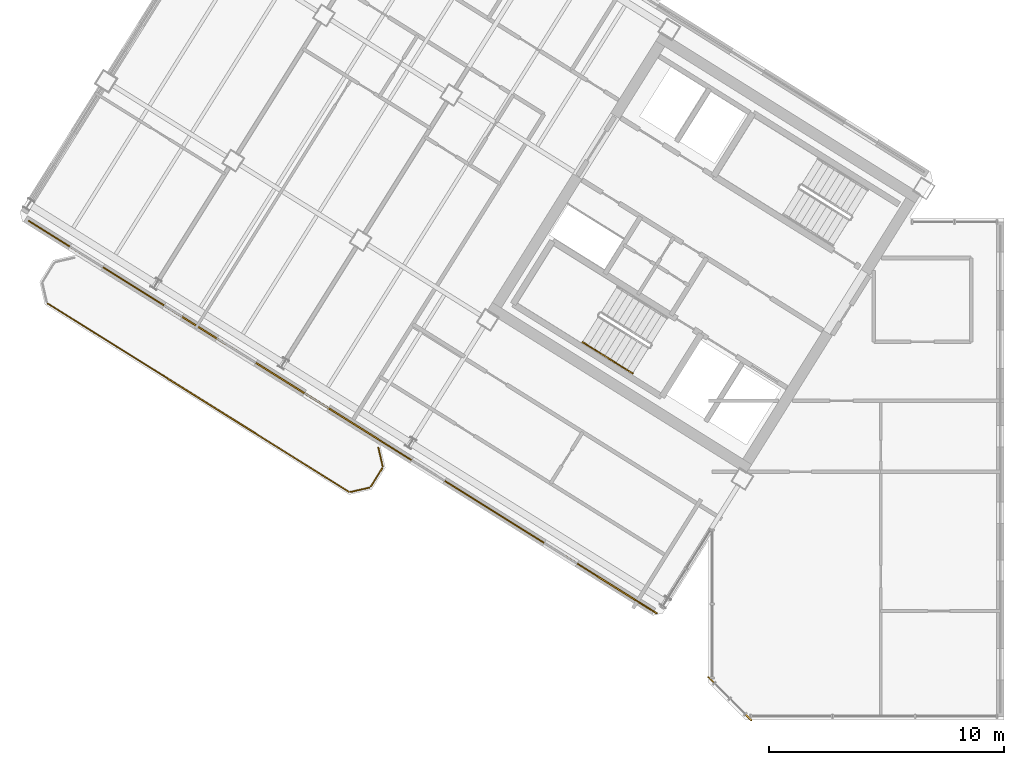
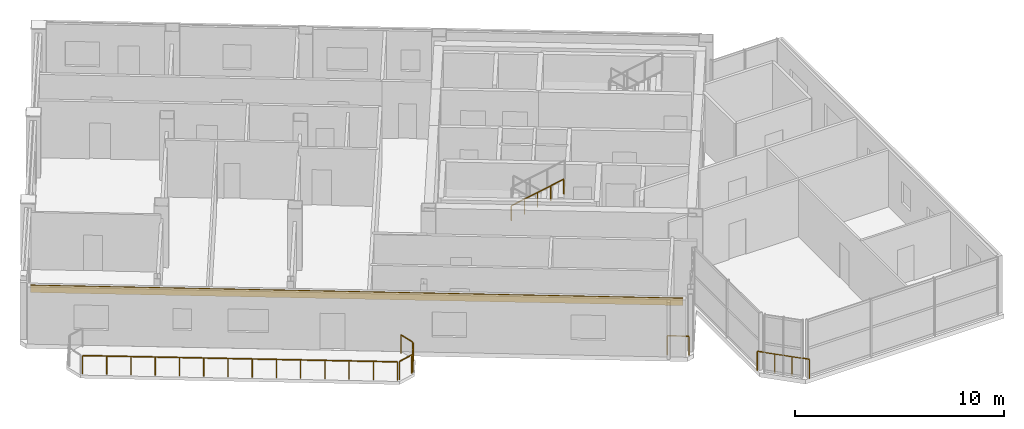
# One storey, part 12 of 17: 8 railings, 1 covering.
"""IFC4 building model written with IfcOpenShell, lengths in metres."""

from ifc_helpers import new_model, si_unit, direction, frame, origin, origin_2d, place, context, subcontext, project, spatial, rectangle, extrude, source, transform, mapped, material, layer, layer_set, type_object, element, save


model = new_model("IFC4")

# Units and contexts
model_context = context("Model", 3, precision=1e-05, world=origin(), true_north=direction((0.0, 1.0)))
body_context = subcontext(model_context, "Body", "Model", "MODEL_VIEW")
ifc_project = project(units=[si_unit("LENGTHUNIT", "METRE"), si_unit("AREAUNIT", "SQUARE_METRE"), si_unit("VOLUMEUNIT", "CUBIC_METRE"), si_unit("PLANEANGLEUNIT", "RADIAN"), si_unit("MASSUNIT", "GRAM", prefix="KILO")], contexts=[model_context])

# Site, building, storey
site_placement = place(None, origin())
site = spatial("IfcSite", under=ifc_project, at=site_placement, CompositionType="ELEMENT")
building_placement = place(site_placement, origin())
building = spatial("IfcBuilding", under=site, at=building_placement, Name="Tlacorven Tower", CompositionType="ELEMENT")
storey_placement = place(building_placement, frame((0.0, 0.0, 277.199951171875)))
storey = spatial("IfcBuildingStorey", under=building, at=storey_placement, Name="L70", CompositionType="ELEMENT", Elevation=277.199951171875)

# Railings
ifc_material_1 = material(Name="Aluminium and painted steel balustrade", Category="steel")
railing_type_1 = type_object("IfcRailingType", Name="RL-BAL-1100", PredefinedType="BALUSTRADE", material=ifc_material_1)
shared_shape_1 = source(origin(), body_context, "Body", "SweptSolid", [
    extrude(rectangle(XDim=0.048095703125, YDim=0.048095703125, at=origin_2d()), frame((0.0, 0.0, 1.076171875), z_axis=(0.225058334816, -0.974345290916, 0.0), x_axis=(0.974345290916, 0.225058334816, 0.0)), (0.0, 0.0, 1.0), 0.80712890625),
    extrude(rectangle(XDim=0.0419921875, YDim=0.0419921875, at=origin_2d()), origin(), (0.0, 0.0, 1.0), 1.052001953125),
    extrude(rectangle(XDim=0.0419921875, YDim=0.0419921875, at=origin_2d()), frame((0.181640625, -0.786376953125, 0.0)), (0.0, 0.0, 1.0), 1.052001953125),
])
railing_1_placement = place(storey_placement, frame((17.5244140625, 13.413330078125, 0.0)))
element("IfcRailing", 1, at=railing_1_placement, inside=storey, type_object=railing_type_1, Name="BAL-L70-W-OUT Guard Railing 1", PredefinedType="BALUSTRADE", context=body_context, shape_type="MappedRepresentation", body=[
    mapped(shared_shape_1, transform((0.0, 0.0, 0.0), scale=1.0)),
])
shared_shape_2 = source(origin(), body_context, "Body", "SweptSolid", [
    extrude(rectangle(XDim=0.048095703125, YDim=0.048095703125, at=origin_2d()), frame((0.0, 0.0, 1.076171875), z_axis=(-0.52987865805, -0.848073468364, 0.0), x_axis=(0.848073468364, -0.52987865805, 0.0)), (0.0, 0.0, 1.0), 0.912353515625),
    extrude(rectangle(XDim=0.0419921875, YDim=0.0419921875, at=origin_2d()), origin(), (0.0, 0.0, 1.0), 1.052001953125),
    extrude(rectangle(XDim=0.0419921875, YDim=0.0419921875, at=origin_2d()), frame((-0.4833984375, -0.773681640625, 0.0)), (0.0, 0.0, 1.0), 1.052001953125),
])
railing_2_placement = place(storey_placement, frame((17.690673828125, 12.535888671875, 0.0)))
element("IfcRailing", 2, at=railing_2_placement, inside=storey, type_object=railing_type_1, Name="BAL-L70-W-OUT Guard Railing 2", PredefinedType="BALUSTRADE", context=body_context, shape_type="MappedRepresentation", body=[
    mapped(shared_shape_2, transform((0.0, 0.0, 0.0), scale=1.0)),
])
shared_shape_3 = source(origin(), body_context, "Body", "SweptSolid", [
    extrude(rectangle(XDim=0.048095703125, YDim=0.048095703125, at=origin_2d()), frame((0.0, 0.0, 1.076171875), z_axis=(-0.974411586182, -0.224771129628, 0.0), x_axis=(0.224771129628, -0.974411586182, 0.0)), (0.0, 0.0, 1.0), 0.80712890625),
    extrude(rectangle(XDim=0.0419921875, YDim=0.0419921875, at=origin_2d()), origin(), (0.0, 0.0, 1.0), 1.052001953125),
    extrude(rectangle(XDim=0.0419921875, YDim=0.0419921875, at=origin_2d()), frame((-0.786376953125, -0.181396484375, 0.0)), (0.0, 0.0, 1.0), 1.052001953125),
])
railing_3_placement = place(storey_placement, frame((17.132080078125, 11.70849609375, 0.0)))
element("IfcRailing", 3, at=railing_3_placement, inside=storey, type_object=railing_type_1, Name="BAL-L70-W-OUT Guard Railing 3", PredefinedType="BALUSTRADE", context=body_context, shape_type="MappedRepresentation", body=[
    mapped(shared_shape_3, transform((0.0, 0.0, 0.0), scale=1.0)),
])
shared_shape_4 = source(origin(), body_context, "Body", "SweptSolid", [
    extrude(rectangle(XDim=0.048095703125, YDim=0.048095703125, at=origin_2d()), frame((0.0, 0.0, 1.076171875), z_axis=(-0.848044572804, 0.529924902733, 0.0), x_axis=(-0.529924902733, -0.848044572804, 0.0)), (0.0, 0.0, 1.0), 15.1171875),
    extrude(rectangle(XDim=0.0419921875, YDim=0.0419921875, at=origin_2d()), origin(), (0.0, 0.0, 1.0), 1.052001953125),
    extrude(rectangle(XDim=0.0419921875, YDim=0.0419921875, at=origin_2d()), frame((-0.986083984375, 0.6162109375, 0.0)), (0.0, 0.0, 1.0), 1.052001953125),
    extrude(rectangle(XDim=0.0419921875, YDim=0.0419921875, at=origin_2d()), frame((-1.972412109375, 1.232421875, 0.0)), (0.0, 0.0, 1.0), 1.052001953125),
    extrude(rectangle(XDim=0.0419921875, YDim=0.0419921875, at=origin_2d()), frame((-2.95849609375, 1.8486328125, 0.0)), (0.0, 0.0, 1.0), 1.052001953125),
    extrude(rectangle(XDim=0.0419921875, YDim=0.0419921875, at=origin_2d()), frame((-3.944580078125, 2.46484375, 0.0)), (0.0, 0.0, 1.0), 1.052001953125),
    extrude(rectangle(XDim=0.0419921875, YDim=0.0419921875, at=origin_2d()), frame((-4.930908203125, 3.0810546875, 0.0)), (0.0, 0.0, 1.0), 1.052001953125),
    extrude(rectangle(XDim=0.0419921875, YDim=0.0419921875, at=origin_2d()), frame((-5.9169921875, 3.697265625, 0.0)), (0.0, 0.0, 1.0), 1.052001953125),
    extrude(rectangle(XDim=0.0419921875, YDim=0.0419921875, at=origin_2d()), frame((-6.903076171875, 4.313720703125, 0.0)), (0.0, 0.0, 1.0), 1.052001953125),
    extrude(rectangle(XDim=0.0419921875, YDim=0.0419921875, at=origin_2d()), frame((-7.88916015625, 4.929931640625, 0.0)), (0.0, 0.0, 1.0), 1.052001953125),
    extrude(rectangle(XDim=0.0419921875, YDim=0.0419921875, at=origin_2d()), frame((-8.87548828125, 5.546142578125, 0.0)), (0.0, 0.0, 1.0), 1.052001953125),
    extrude(rectangle(XDim=0.0419921875, YDim=0.0419921875, at=origin_2d()), frame((-9.861572265625, 6.162353515625, 0.0)), (0.0, 0.0, 1.0), 1.052001953125),
    extrude(rectangle(XDim=0.0419921875, YDim=0.0419921875, at=origin_2d()), frame((-10.84765625, 6.778564453125, 0.0)), (0.0, 0.0, 1.0), 1.052001953125),
    extrude(rectangle(XDim=0.0419921875, YDim=0.0419921875, at=origin_2d()), frame((-11.833984375, 7.394775390625, 0.0)), (0.0, 0.0, 1.0), 1.052001953125),
    extrude(rectangle(XDim=0.0419921875, YDim=0.0419921875, at=origin_2d()), frame((-12.820068359375, 8.010986328125, 0.0)), (0.0, 0.0, 1.0), 1.052001953125),
])
railing_4_placement = place(storey_placement, frame((16.254638671875, 11.542236328125, 0.0)))
element("IfcRailing", 4, at=railing_4_placement, inside=storey, type_object=railing_type_1, Name="BAL-L70-W-OUT Guard Railing 4", PredefinedType="BALUSTRADE", context=body_context, shape_type="MappedRepresentation", body=[
    mapped(shared_shape_4, transform((0.0, 0.0, 0.0), scale=1.0)),
])
railing_type_2 = type_object("IfcRailingType", Name="RL-GRD-1150", PredefinedType="GUARDRAIL", material=ifc_material_1)
shared_shape_5 = source(origin(), body_context, "Body", "SweptSolid", [
    extrude(rectangle(XDim=0.048095703125, YDim=0.048095703125, at=origin_2d()), frame((0.0, 0.0, 1.1259765625), z_axis=(-0.707106781187, 0.707106781187, 0.0), x_axis=(-0.707106781187, -0.707106781187, 0.0)), (0.0, 0.0, 1.0), 2.590087890625),
    extrude(rectangle(XDim=0.0419921875, YDim=0.0419921875, at=origin_2d()), origin(), (0.0, 0.0, 1.0), 1.101806640625),
    extrude(rectangle(XDim=0.0419921875, YDim=0.0419921875, at=origin_2d()), frame((-0.610595703125, 0.610595703125, 0.0)), (0.0, 0.0, 1.0), 1.101806640625),
    extrude(rectangle(XDim=0.0419921875, YDim=0.0419921875, at=origin_2d()), frame((-1.220947265625, 1.220947265625, 0.0)), (0.0, 0.0, 1.0), 1.101806640625),
    extrude(rectangle(XDim=0.0419921875, YDim=0.0419921875, at=origin_2d()), frame((-1.83154296875, 1.83154296875, 0.0)), (0.0, 0.0, 1.0), 1.101806640625),
])
railing_5_placement = place(storey_placement, frame((33.428955078125, 1.79736328125, 0.0)))
element("IfcRailing", 5, at=railing_5_placement, inside=storey, type_object=railing_type_2, Name="L70 Knuckle Glazed Sill Guard 1", PredefinedType="GUARDRAIL", context=body_context, shape_type="MappedRepresentation", body=[
    mapped(shared_shape_5, transform((0.0, 0.0, 0.0), scale=1.0)),
])
shared_shape_6 = source(origin(), body_context, "Body", "SweptSolid", [
    extrude(rectangle(XDim=0.048095703125, YDim=0.048095703125, at=origin_2d()), frame((0.0, 0.0, 1.1259765625), z_axis=(-0.848102774857, 0.529831749973, 0.0), x_axis=(-0.529831749973, -0.848102774857, 0.0)), (0.0, 0.0, 1.0), 1.050048828125),
    extrude(rectangle(XDim=0.0419921875, YDim=0.0419921875, at=origin_2d()), origin(), (0.0, 0.0, 1.0), 1.101806640625),
    extrude(rectangle(XDim=0.0419921875, YDim=0.0419921875, at=origin_2d()), frame((-0.890625, 0.556396484375, 0.0)), (0.0, 0.0, 1.0), 1.101806640625),
])
railing_6_placement = place(storey_placement, frame((29.39501953125, 6.35009765625, 0.0)))
element("IfcRailing", 6, at=railing_6_placement, inside=storey, type_object=railing_type_2, Name="L70 Knuckle Glazed Sill Guard 2", PredefinedType="GUARDRAIL", context=body_context, shape_type="MappedRepresentation", body=[
    mapped(shared_shape_6, transform((0.0, 0.0, 0.0), scale=1.0)),
])

# Covering
ifc_material_2 = material(Name="Precast concrete C45/55", Category="concrete")
ifc_layer = layer(ifc_material_2, 0.06005859375)
ifc_layer_set = layer_set([ifc_layer], Name="Precast concrete C45/55")
covering_type = type_object("IfcCoveringType", Name="CV-CLD-TERC", PredefinedType="CLADDING", material=ifc_layer_set)
shared_shape_7 = source(origin(), body_context, "Body", "SweptSolid", [
    extrude(rectangle(XDim=31.287353515625, YDim=0.06005859375, at=origin_2d()), origin(), (0.0, 0.0, 1.0), 0.419921875),
])
covering_placement = place(storey_placement, frame((15.8740234375, 14.798828125, 2.93017578125), z_axis=(0.0, 0.0, 1.0), x_axis=(-0.84804812172, 0.529919223323, 0.0)))
element("IfcCovering", 7, at=covering_placement, inside=storey, type_object=covering_type, Name="L70 Masonry-Frame Spandrel Cladding 2", PredefinedType="CLADDING", context=body_context, shape_type="MappedRepresentation", body=[
    mapped(shared_shape_7, transform((0.0, 0.0, 0.0), scale=1.0)),
])

# Railings
railing_type_3 = type_object("IfcRailingType", Name="RL-HND-0900", PredefinedType="HANDRAIL", material=ifc_material_1)
shared_shape_8 = source(origin(), body_context, "Body", "SweptSolid", [
    extrude(rectangle(XDim=0.048095703125, YDim=0.048095703125, at=origin_2d()), frame((0.0, 0.0, 0.8759765625), z_axis=(0.713359751793, -0.4457479829, 0.540764828981), x_axis=(0.529911857636, 0.848052724267, 0.0)), (0.0, 0.0, 1.0), 1.498046875),
    extrude(rectangle(XDim=0.0419921875, YDim=0.0419921875, at=origin_2d()), origin(), (0.0, 0.0, 1.0), 0.851806640625),
    extrude(rectangle(XDim=0.0419921875, YDim=0.0419921875, at=origin_2d()), frame((0.5341796875, -0.333984375, 0.405029296875)), (0.0, 0.0, 1.0), 0.851806640625),
    extrude(rectangle(XDim=0.0419921875, YDim=0.0419921875, at=origin_2d()), frame((1.068603515625, -0.667724609375, 0.81005859375)), (0.0, 0.0, 1.0), 0.851806640625),
])
railing_7_placement = place(storey_placement, frame((26.228759765625, 17.915283203125, 1.97998046875)))
element("IfcRailing", 8, at=railing_7_placement, inside=storey, type_object=railing_type_3, Name="L70 ST-W1 stair handrail 3", PredefinedType="HANDRAIL", context=body_context, shape_type="MappedRepresentation", body=[
    mapped(shared_shape_8, transform((0.0, 0.0, 0.0), scale=1.0)),
])
shared_shape_9 = source(origin(), body_context, "Body", "SweptSolid", [
    extrude(rectangle(XDim=0.048095703125, YDim=0.048095703125, at=origin_2d()), frame((0.0, 0.0, 0.8759765625), z_axis=(0.713279695859, -0.445799809912, 0.540827703579), x_axis=(0.529998940003, 0.847998304005, 0.0)), (0.0, 0.0, 1.0), 1.497802734375),
    extrude(rectangle(XDim=0.0419921875, YDim=0.0419921875, at=origin_2d()), origin(), (0.0, 0.0, 1.0), 0.851806640625),
    extrude(rectangle(XDim=0.0419921875, YDim=0.0419921875, at=origin_2d()), frame((0.5341796875, -0.333984375, 0.405029296875)), (0.0, 0.0, 1.0), 0.851806640625),
    extrude(rectangle(XDim=0.0419921875, YDim=0.0419921875, at=origin_2d()), frame((1.068359375, -0.667724609375, 0.81005859375)), (0.0, 0.0, 1.0), 0.851806640625),
])
railing_8_placement = place(storey_placement, frame((27.29736328125, 17.24755859375, 2.7900390625)))
element("IfcRailing", 9, at=railing_8_placement, inside=storey, type_object=railing_type_3, Name="L70 ST-W1 stair handrail 4", PredefinedType="HANDRAIL", context=body_context, shape_type="MappedRepresentation", body=[
    mapped(shared_shape_9, transform((0.0, 0.0, 0.0), scale=1.0)),
])

save(model, "model.ifc")
